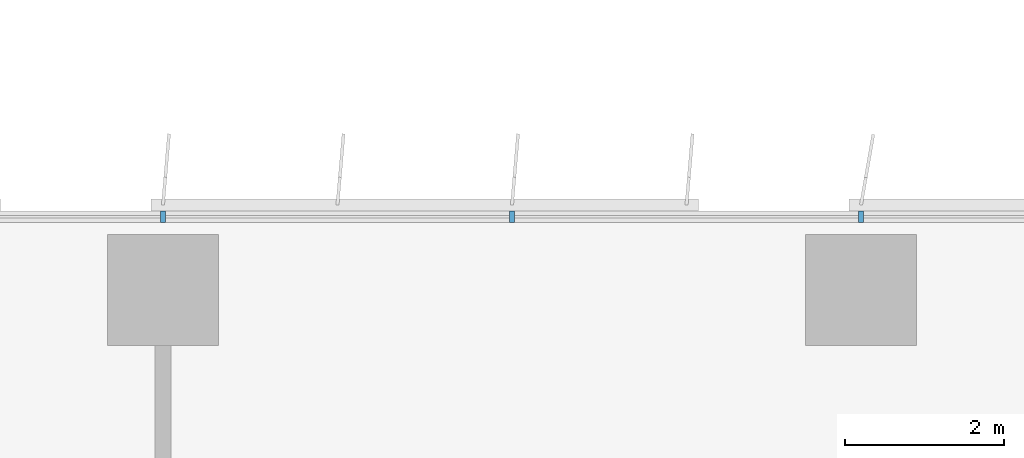
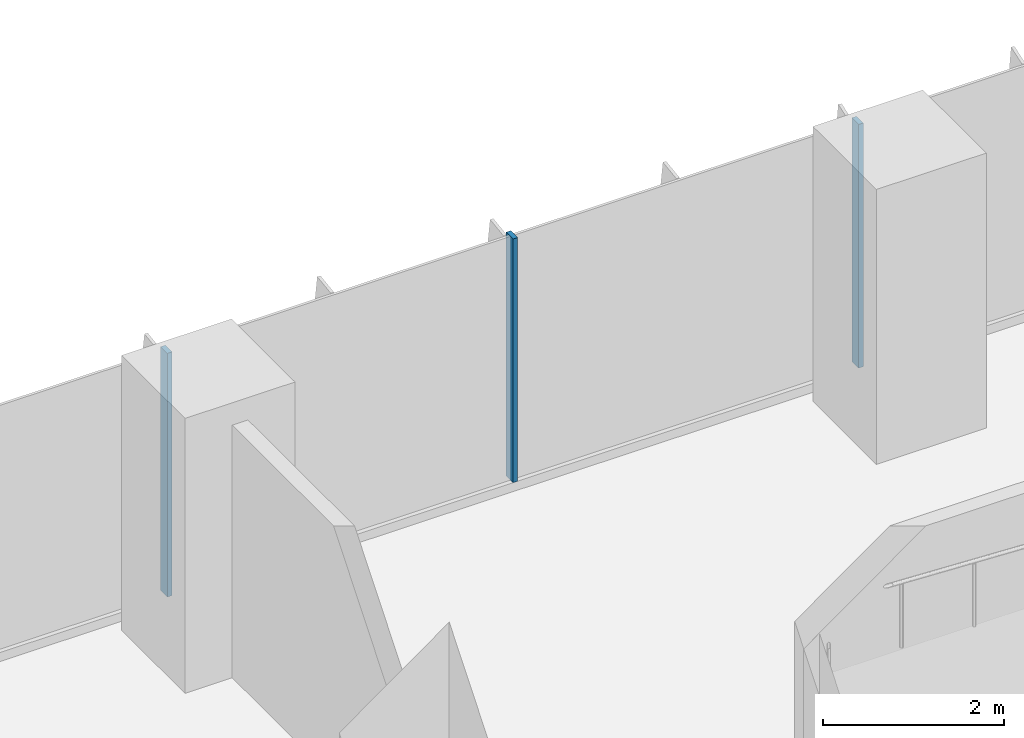
# One storey, part 4 of 24: 3 members, 1 element without a shape of its own.
"""IFC4 building model written with IfcOpenShell, lengths in metres."""

from ifc_helpers import new_model, si_unit, direction, frame, origin, origin_2d, place, context, subcontext, project, spatial, rectangle, extrude, source, transform, mapped, material, material_profile, profile_set, type_object, element, aggregate, save


model = new_model("IFC4")

# Units and contexts
model_context = context("Model", 3, precision=1e-05, world=origin(), true_north=direction((0.0, 1.0)))
body_context = subcontext(model_context, "Body", "Model", "MODEL_VIEW")
ifc_project = project(units=[si_unit("LENGTHUNIT", "METRE"), si_unit("AREAUNIT", "SQUARE_METRE"), si_unit("VOLUMEUNIT", "CUBIC_METRE"), si_unit("PLANEANGLEUNIT", "RADIAN"), si_unit("MASSUNIT", "GRAM", prefix="KILO")], contexts=[model_context])

# Site, building, storey
site_placement = place(None, origin())
site = spatial("IfcSite", under=ifc_project, at=site_placement, CompositionType="ELEMENT")
building_placement = place(site_placement, origin())
building = spatial("IfcBuilding", under=site, at=building_placement, Name="Kemantara Hotel Tower", CompositionType="ELEMENT")
storey_placement = place(building_placement, frame((0.0, 0.0, 48.800048828125)))
storey = spatial("IfcBuildingStorey", under=building, at=storey_placement, Name="L10", CompositionType="ELEMENT", Elevation=48.800048828125)

# Curtain wall, members
ifc_material_1 = material(Name="Low-E tinted double insulated glass 36 mm", Category="glass")
curtain_wall_type = type_object("IfcCurtainWallType", Name="TOWER CURTAIN WALL, FRONT FACES", PredefinedType="USERDEFINED", material=ifc_material_1)
curtain_wall_placement = place(storey_placement, origin())
curtain_wall = element("IfcCurtainWall", 1, at=curtain_wall_placement, inside=storey, type_object=curtain_wall_type, Name="CW4 L10 T1-R07-1", ObjectType="TOWER CURTAIN WALL, FRONT FACES", PredefinedType="USERDEFINED")
ifc_material_2 = material(Name="Aluminium 6063-T6 bronze anodised", Category="aluminium")
ifc_material_profile = material_profile(ifc_material_2, rectangle(XDim=0.14990234375, YDim=0.06005859375, at=origin_2d()), Name="TOWER CURTAIN WALL, FRONT FACES MULLION")
ifc_profile_set = profile_set([ifc_material_profile], Name="Aluminium 6063-T6 bronze anodised")
member_type = type_object("IfcMemberType", Name="TOWER CURTAIN WALL, FRONT FACES MULLION", PredefinedType="MULLION", material=ifc_profile_set)
shared_shape = source(origin(), body_context, "Body", "SweptSolid", [
    extrude(rectangle(XDim=0.14990234375, YDim=0.06005859375, at=origin_2d()), origin(), (0.0, 0.0, 1.0), 3.280029296875),
])
member_1_placement = place(storey_placement, frame((62.60009765625, 26.72509765625, 0.119873046875), z_axis=(0.0, 0.0, 1.0), x_axis=(0.0, -1.0, 0.0)))
member_1 = element("IfcMember", 2, at=member_1_placement, type_object=member_type, Name="CW4 mullion T1-R07-1.5", PredefinedType="MULLION", context=body_context, shape_type="MappedRepresentation", body=[
    mapped(shared_shape, transform((0.0, 0.0, 0.0))),
])
member_2_placement = place(storey_placement, frame((58.199951171875, 26.72509765625, 0.119873046875), z_axis=(0.0, 0.0, 1.0), x_axis=(0.0, -1.0, 0.0)))
member_2 = element("IfcMember", 3, at=member_2_placement, type_object=member_type, Name="CW4 mullion T1-R07-1.6", PredefinedType="MULLION", context=body_context, shape_type="MappedRepresentation", body=[
    mapped(shared_shape, transform((0.0, 0.0, 0.0))),
])
member_3_placement = place(storey_placement, frame((53.800048828125, 26.72509765625, 0.119873046875), z_axis=(0.0, 0.0, 1.0), x_axis=(0.0, -1.0, 0.0)))
member_3 = element("IfcMember", 4, at=member_3_placement, type_object=member_type, Name="CW4 mullion T1-R07-1.7", PredefinedType="MULLION", context=body_context, shape_type="MappedRepresentation", body=[
    mapped(shared_shape, transform((0.0, 0.0, 0.0))),
])
aggregate(curtain_wall, [member_1, member_2, member_3])

save(model, "model.ifc")
